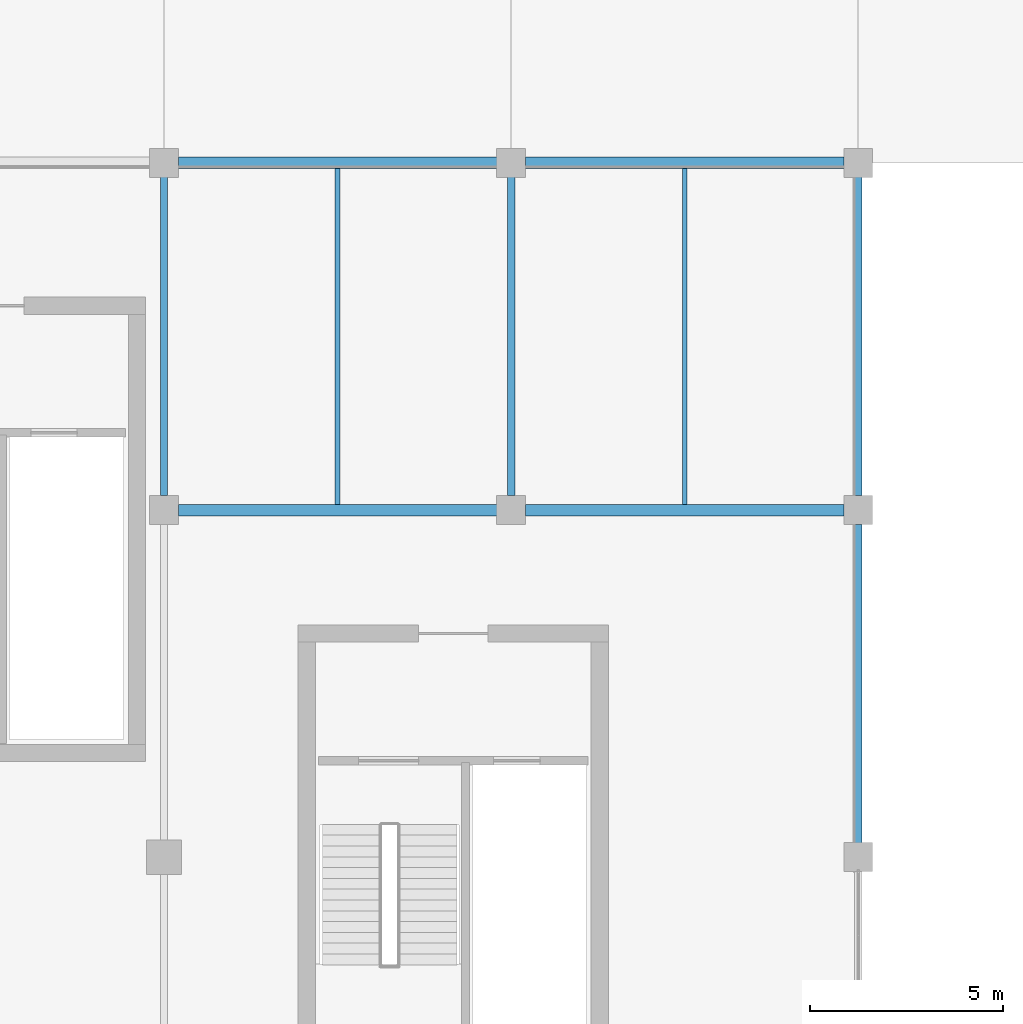
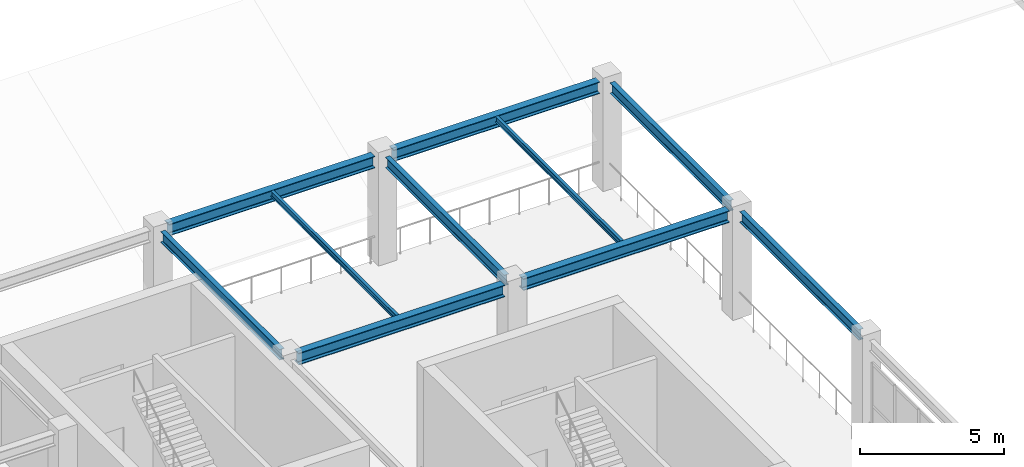
# One storey, part 36 of 89: 10 beams.
"""IFC4 building model written with IfcOpenShell, lengths in metres."""

from ifc_helpers import new_model, si_unit, direction, frame, origin, origin_2d, place, context, subcontext, project, spatial, i_section, extrude, material, material_profile, profile_set, type_object, element, save


model = new_model("IFC4")

# Units and contexts
model_context = context("Model", 3, precision=1e-05, world=origin(), true_north=direction((0.0, 1.0)))
body_context = subcontext(model_context, "Body", "Model", "MODEL_VIEW")
ifc_project = project(units=[si_unit("LENGTHUNIT", "METRE"), si_unit("AREAUNIT", "SQUARE_METRE"), si_unit("VOLUMEUNIT", "CUBIC_METRE"), si_unit("PLANEANGLEUNIT", "RADIAN"), si_unit("MASSUNIT", "GRAM", prefix="KILO")], contexts=[model_context])

# Site, building, storey
site_placement = place(None, origin())
site = spatial("IfcSite", under=ifc_project, at=site_placement, CompositionType="ELEMENT")
building_placement = place(site_placement, origin())
building = spatial("IfcBuilding", under=site, at=building_placement, Name="Dornveld Trade and Exhibition Forum", CompositionType="ELEMENT")
storey_placement = place(building_placement, frame((0.0, 0.0, 12.0)))
storey = spatial("IfcBuildingStorey", under=building, at=storey_placement, Name="L02", CompositionType="ELEMENT", Elevation=12.0)

# Beams
ifc_material_1 = material(Name="Steel S355J2", Category="steel")
ifc_material_profile_1 = material_profile(ifc_material_1, i_section(OverallWidth=0.300048828125, OverallDepth=0.5, WebThickness=0.014404296875, FlangeThickness=0.028076171875, FilletRadius=0.027099609375, at=origin_2d()), Name="HEB 500")
ifc_profile_set_1 = profile_set([ifc_material_profile_1], Name="Steel S355J2")
beam_type_1 = type_object("IfcBeamType", Name="BM-GIR-HEB500", PredefinedType="USERDEFINED", material=ifc_profile_set_1)
for number, where, z_axis, x_axis, name in (
    (1, (135.37109375, 99.0, 4.27001953125), (1.0, 0.0, 0.0), (0.0, 1.0, 0.0), "L02 X-girder 1490"),
    (2, (144.37109375, 99.0, 4.27001953125), (1.0, 0.0, 0.0), (0.0, 1.0, 0.0), "L02 X-girder 1491"),
    (3, (135.37109375, 108.0, 4.27001953125), (1.0, 0.0, 0.0), (0.0, 1.0, 0.0), "L02 X-girder 1497"),
    (4, (144.37109375, 108.0, 4.27001953125), (1.0, 0.0, 0.0), (0.0, 1.0, 0.0), "L02 X-girder 1498"),
):
    element("IfcBeam", number, at=place(storey_placement, frame(where, z_axis=z_axis, x_axis=x_axis)), inside=storey, type_object=beam_type_1, Name=name, ObjectType="GIRDER", PredefinedType="USERDEFINED", context=body_context, shape_type="SweptSolid", body=[
        extrude(i_section(OverallWidth=0.300048828125, OverallDepth=0.5, WebThickness=0.014404296875, FlangeThickness=0.028076171875, FilletRadius=0.027099609375, at=origin_2d()), origin(), (0.0, 0.0, 1.0), 8.2578125),
    ])
ifc_material_2 = material(Name="Steel S355J2", Category="steel")
ifc_material_profile_2 = material_profile(ifc_material_2, i_section(OverallWidth=0.1201171875, OverallDepth=0.239990234375, WebThickness=0.006103515625, FlangeThickness=0.009765625, FilletRadius=0.014892578125, at=origin_2d()), Name="IPE 240")
ifc_profile_set_2 = profile_set([ifc_material_profile_2], Name="Steel S355J2")
beam_type_2 = type_object("IfcBeamType", Name="BM-JOIST-240", PredefinedType="JOIST", material=ifc_profile_set_2)
for number, where, z_axis, x_axis, name in (
    (5, (139.5, 99.14697265625, 4.39990234375), (0.0, 1.0, 0.0), (-1.0, 0.0, 0.0), "L02 secondary joist 1542"),
    (6, (148.5, 99.14697265625, 4.39990234375), (0.0, 1.0, 0.0), (-1.0, 0.0, 0.0), "L02 secondary joist 1545"),
):
    element("IfcBeam", number, at=place(storey_placement, frame(where, z_axis=z_axis, x_axis=x_axis)), inside=storey, type_object=beam_type_2, Name=name, PredefinedType="JOIST", context=body_context, shape_type="SweptSolid", body=[
        extrude(i_section(OverallWidth=0.1201171875, OverallDepth=0.239990234375, WebThickness=0.006103515625, FlangeThickness=0.009765625, FilletRadius=0.014892578125, at=origin_2d()), origin(), (0.0, 0.0, 1.0), 8.7060546875),
    ])
ifc_material_3 = material(Name="Steel S355J2", Category="steel")
ifc_material_profile_3 = material_profile(ifc_material_3, i_section(OverallWidth=0.18994140625, OverallDepth=0.449951171875, WebThickness=0.009521484375, FlangeThickness=0.0146484375, FilletRadius=0.02099609375, at=origin_2d()), Name="IPE 450")
ifc_profile_set_3 = profile_set([ifc_material_profile_3], Name="Steel S355J2")
beam_type_3 = type_object("IfcBeamType", Name="BM-SEC-450", PredefinedType="BEAM", material=ifc_profile_set_3)
for number, where, z_axis, x_axis, name in (
    (7, (135.0, 99.37109375, 4.294921875), (0.0, 1.0, 0.0), (-1.0, 0.0, 0.0), "L02 Y-girder 1524"),
    (8, (144.0, 99.37109375, 4.294921875), (0.0, 1.0, 0.0), (-1.0, 0.0, 0.0), "L02 Y-girder 1527"),
    (9, (153.0, 90.37109375, 4.294921875), (0.0, 1.0, 0.0), (-1.0, 0.0, 0.0), "L02 Y-girder 1533"),
    (10, (153.0, 99.37109375, 4.294921875), (0.0, 1.0, 0.0), (-1.0, 0.0, 0.0), "L02 Y-girder 1534"),
):
    element("IfcBeam", number, at=place(storey_placement, frame(where, z_axis=z_axis, x_axis=x_axis)), inside=storey, type_object=beam_type_3, Name=name, PredefinedType="BEAM", context=body_context, shape_type="SweptSolid", body=[
        extrude(i_section(OverallWidth=0.18994140625, OverallDepth=0.449951171875, WebThickness=0.009521484375, FlangeThickness=0.0146484375, FilletRadius=0.02099609375, at=origin_2d()), origin(), (0.0, 0.0, 1.0), 8.2578125),
    ])

save(model, "model.ifc")
